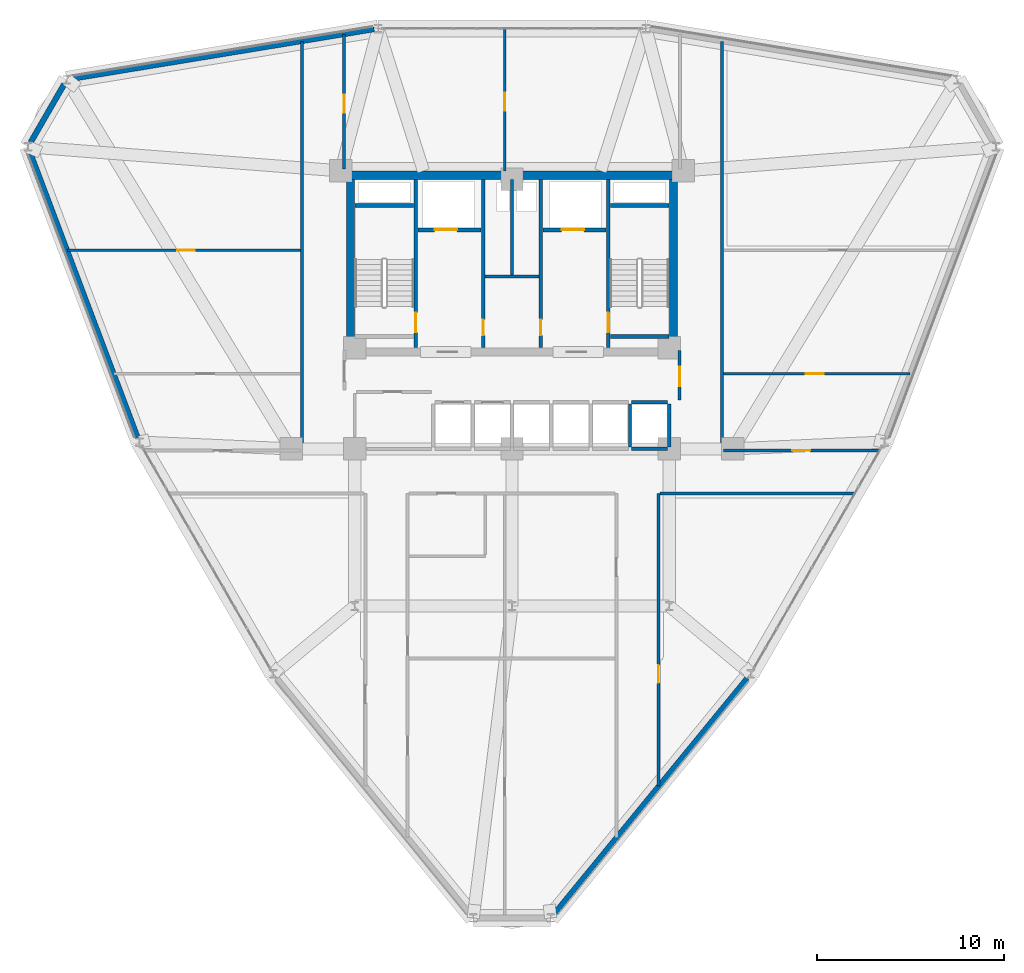
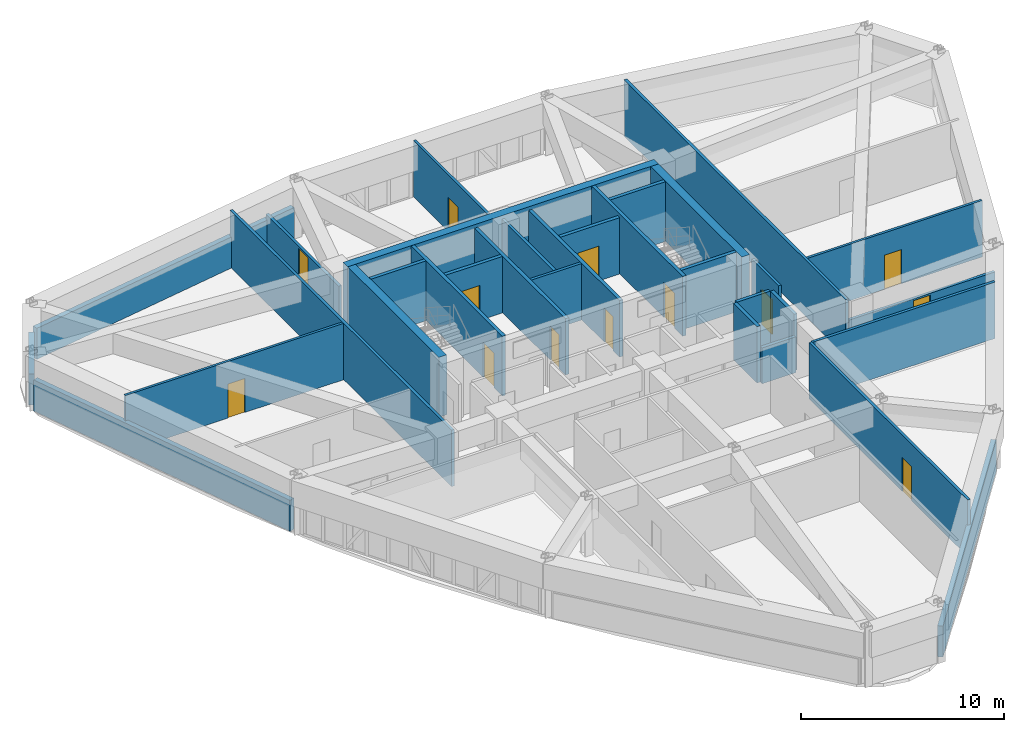
# One storey, part 13 of 16: 32 walls, 13 doors, 13 openings.
"""IFC4 building model written with IfcOpenShell, lengths in metres."""

from ifc_helpers import new_model, si_unit, derived_unit, direction, frame, frame_2d, origin, place, context, subcontext, project, spatial, rectangle, extrude, material, layer, layer_set, type_object, element, fill, save


model = new_model("IFC4")

# Units and contexts
model_context = context("Model", 3, precision=1e-05, world=origin(), true_north=direction((0.0, 1.0)))
body_context = subcontext(model_context, "Body", "Model", "MODEL_VIEW")
ifc_project = project(units=[si_unit("LENGTHUNIT", "METRE"), si_unit("AREAUNIT", "SQUARE_METRE"), si_unit("VOLUMEUNIT", "CUBIC_METRE"), si_unit("PLANEANGLEUNIT", "RADIAN"), si_unit("MASSUNIT", "GRAM", prefix="KILO"), derived_unit("THERMALTRANSMITTANCEUNIT", [(si_unit("POWERUNIT", "WATT"), 1), (si_unit("LENGTHUNIT", "METRE"), -2), (si_unit("THERMODYNAMICTEMPERATUREUNIT", "KELVIN"), -1)])], contexts=[model_context])

# Site, building, storey
site_placement = place(None, origin())
site = spatial("IfcSite", under=ifc_project, at=site_placement, CompositionType="ELEMENT")
building_placement = place(site_placement, origin())
building = spatial("IfcBuilding", under=site, at=building_placement, Name="Korsvarv Bourse and Concert Hall", CompositionType="ELEMENT")
storey_placement = place(building_placement, frame((0.0, 0.0, 106.199951171875)))
storey = spatial("IfcBuildingStorey", under=building, at=storey_placement, Name="L26", CompositionType="ELEMENT", Elevation=106.199951171875)

# Wall, opening, door
ifc_material_1 = material(Name="Concrete C50/60", Category="concrete")
ifc_layer_1 = layer(ifc_material_1, 0.3798828125)
ifc_layer_set_1 = layer_set([ifc_layer_1], Name="Concrete C50/60")
wall_type_1 = type_object("IfcWallType", Name="WL-CORE-380", PredefinedType="SHEAR", material=ifc_layer_set_1)
wall_1_placement = place(storey_placement, frame((30.860107421875, 37.81005859375, 0.0), z_axis=(0.0, 0.0, 1.0), x_axis=(0.0, 1.0, 0.0)))
wall_1 = element("IfcWall", 1, at=wall_1_placement, inside=storey, type_object=wall_type_1, Name="L26 stair shaft structural wall W-L26-ST1-E", PredefinedType="SHEAR", context=body_context, shape_type="SweptSolid", body=[
    extrude(rectangle(XDim=8.97998046875, YDim=0.199951171875, at=frame_2d((4.489990234375, 0.0))), origin(), (0.0, 0.0, 1.0), 3.60009765625),
])
opening_1_placement = place(wall_1_placement, frame((0.820068359375, 0.0, 0.0)))
opening_1 = element("IfcOpeningElement", 2, at=opening_1_placement, cuts=wall_1, Name="Opening D-01", PredefinedType="OPENING", context=body_context, shape_type="SweptSolid", body=[
    extrude(rectangle(XDim=1.050048828125, YDim=2.10009765625, at=frame_2d((0.52490234375, 1.050048828125))), frame((0.0, 0.10986328125, 0.0), z_axis=(0.0, -1.0, 0.0), x_axis=(1.0, 0.0, 0.0)), (0.0, 0.0, 1.0), 0.219970703125),
])
ifc_material_2 = material(Name="Steel S355 fire door", Category="steel")
door_type_1 = type_object("IfcDoorType", Name="DR-FD60", OperationType="NOTDEFINED", PredefinedType="DOOR", material=ifc_material_2)
door_1_placement = place(opening_1_placement, origin())
door_1 = element("IfcDoor", 3, at=door_1_placement, inside=storey, type_object=door_type_1, Name="L26 interior door DR-L26-ST1", OperationType="SINGLE_SWING_LEFT", OverallHeight=2.10009765625, OverallWidth=1.050048828125, PredefinedType="DOOR", context=body_context, shape_type="SweptSolid", body=[
    extrude(rectangle(XDim=1.050048828125, YDim=2.10009765625, at=frame_2d((0.52490234375, 1.050048828125))), frame((0.0, 0.02490234375, 0.0), z_axis=(0.0, -1.0, 0.0), x_axis=(1.0, 0.0, 0.0)), (0.0, 0.0, 1.0), 0.050048828125),
])
fill(opening_1, door_1)

# Wall
wall_2_placement = place(storey_placement, frame((27.610107421875, 45.39990234375, 0.0), z_axis=(0.0, 0.0, 1.0), x_axis=(1.0, 0.0, 0.0)))
element("IfcWall", 4, at=wall_2_placement, inside=storey, type_object=wall_type_1, Name="L26 stair shaft structural wall W-L26-ST1-N", PredefinedType="SHEAR", context=body_context, shape_type="SweptSolid", body=[
    extrude(rectangle(XDim=3.139892578125, YDim=0.199951171875, at=frame_2d((1.56982421875, 0.0))), origin(), (0.0, 0.0, 1.0), 3.60009765625),
])

# Wall, opening, door
wall_3_placement = place(storey_placement, frame((41.139892578125, 37.81005859375, 0.0), z_axis=(0.0, 0.0, 1.0), x_axis=(0.0, 1.0, 0.0)))
wall_3 = element("IfcWall", 5, at=wall_3_placement, inside=storey, type_object=wall_type_1, Name="L26 stair shaft structural wall W-L26-ST2-W", PredefinedType="SHEAR", context=body_context, shape_type="SweptSolid", body=[
    extrude(rectangle(XDim=8.97998046875, YDim=0.199951171875, at=frame_2d((4.489990234375, 0.0))), origin(), (0.0, 0.0, 1.0), 3.60009765625),
])
opening_2_placement = place(wall_3_placement, frame((0.820068359375, 0.0, 0.0)))
opening_2 = element("IfcOpeningElement", 6, at=opening_2_placement, cuts=wall_3, Name="Opening D-01", PredefinedType="OPENING", context=body_context, shape_type="SweptSolid", body=[
    extrude(rectangle(XDim=1.050048828125, YDim=2.10009765625, at=frame_2d((0.52490234375, 1.050048828125))), frame((0.0, 0.10986328125, 0.0), z_axis=(0.0, -1.0, 0.0), x_axis=(1.0, 0.0, 0.0)), (0.0, 0.0, 1.0), 0.219970703125),
])
door_2_placement = place(opening_2_placement, frame((1.050048828125, 0.0, 0.0), z_axis=(0.0, 0.0, 1.0), x_axis=(-1.0, 0.0, 0.0)))
door_2 = element("IfcDoor", 7, at=door_2_placement, inside=storey, type_object=door_type_1, Name="L26 interior door DR-L26-ST2", OperationType="SINGLE_SWING_RIGHT", OverallHeight=2.10009765625, OverallWidth=1.050048828125, PredefinedType="DOOR", context=body_context, shape_type="SweptSolid", body=[
    extrude(rectangle(XDim=1.050048828125, YDim=2.10009765625, at=frame_2d((0.52490234375, 1.050048828125))), frame((0.0, 0.02490234375, 0.0), z_axis=(0.0, -1.0, 0.0), x_axis=(1.0, 0.0, 0.0)), (0.0, 0.0, 1.0), 0.050048828125),
])
fill(opening_2, door_2)

# Walls
for number, where, z_axis, x_axis, name in (
    (8, (41.25, 45.39990234375, 0.0), (0.0, 0.0, 1.0), (1.0, 0.0, 0.0), "L26 stair shaft structural wall W-L26-ST2-N"),
    (9, (41.25, 38.39990234375, 0.0), (0.0, 0.0, 1.0), (1.0, 0.0, 0.0), "L26 stair shaft structural wall W-L26-ST2-S"),
):
    element("IfcWall", number, at=place(storey_placement, frame(where, z_axis=z_axis, x_axis=x_axis)), inside=storey, type_object=wall_type_1, Name=name, PredefinedType="SHEAR", context=body_context, shape_type="SweptSolid", body=[
        extrude(rectangle(XDim=3.139892578125, YDim=0.199951171875, at=frame_2d((1.56982421875, 0.0))), origin(), (0.0, 0.0, 1.0), 3.60009765625),
    ])
ifc_material_3 = material(Name="Concrete C55/67", Category="concrete")
ifc_layer_2 = layer(ifc_material_3, 0.449951171875)
ifc_layer_set_2 = layer_set([ifc_layer_2], Name="Concrete C55/67")
wall_type_2 = type_object("IfcWallType", Name="WL-CORE-450", PredefinedType="SHEAR", material=ifc_layer_set_2)
wall_4_placement = place(storey_placement, frame((27.14990234375, 47.02490234375, 0.0), z_axis=(0.0, 0.0, 1.0), x_axis=(1.0, 0.0, 0.0)))
element("IfcWall", 10, at=wall_4_placement, inside=storey, type_object=wall_type_2, Name="L26 North Core Shear Wall", PredefinedType="SHEAR", context=body_context, shape_type="SweptSolid", body=[
    extrude(rectangle(XDim=17.7001953125, YDim=0.449951171875, at=frame_2d((8.85009765625, 0.0))), origin(), (0.0, 0.0, 1.0), 3.60009765625),
])
for number, where, z_axis, x_axis, name in (
    (11, (27.375, 37.800048828125, 0.0), (0.0, 0.0, 1.0), (0.0, 1.0, 0.0), "L26 West Core Shear Wall"),
    (12, (44.625, 37.800048828125, 0.0), (0.0, 0.0, 1.0), (0.0, 1.0, 0.0), "L26 East Core Shear Wall"),
):
    element("IfcWall", number, at=place(storey_placement, frame(where, z_axis=z_axis, x_axis=x_axis)), inside=storey, type_object=wall_type_2, Name=name, PredefinedType="SHEAR", context=body_context, shape_type="SweptSolid", body=[
        extrude(rectangle(XDim=9.0, YDim=0.449951171875, at=frame_2d((4.5, 0.0))), origin(), (0.0, 0.0, 1.0), 3.60009765625),
    ])
ifc_material_4 = material(Name="Precast concrete C45/55 with terracotta rainscreen", Category="concrete")
ifc_layer_3 = layer(ifc_material_4, 0.300048828125)
ifc_layer_set_3 = layer_set([ifc_layer_3], Name="Precast concrete C45/55 with terracotta rainscreen")
wall_type_3 = type_object("IfcWallType", Name="WL-EXT-TC1", PredefinedType="SOLIDWALL", material=ifc_layer_set_3)
wall_5_placement = place(storey_placement, frame((12.0830078125, 51.886962890625, 0.0), z_axis=(0.0, 0.0, 1.0), x_axis=(-0.500012057535, -0.866018442252, 0.0)))
element("IfcWall", 13, at=wall_5_placement, inside=storey, type_object=wall_type_3, Name="L26 terracotta exterior wall EW-L26-B05", PredefinedType="SOLIDWALL", context=body_context, shape_type="SweptSolid", body=[
    extrude(rectangle(XDim=3.60009765625, YDim=0.300048828125, at=frame_2d((1.800048828125, 0.0))), origin(), (0.0, 0.0, 1.0), 1.8701171875),
])
ifc_material_5 = material(Name="Precast concrete C45/55 with fluted terracotta pier", Category="concrete")
ifc_layer_4 = layer(ifc_material_5, 0.280029296875)
ifc_layer_set_4 = layer_set([ifc_layer_4], Name="Precast concrete C45/55 with fluted terracotta pier")
wall_type_4 = type_object("IfcWallType", Name="WL-EXT-TC2", PredefinedType="SOLIDWALL", material=ifc_layer_set_4)
wall_6_placement = place(storey_placement, frame((28.63671875, 54.81640625, 0.0), z_axis=(0.0, 0.0, 1.0), x_axis=(-0.986776921995, -0.162084256539, 0.0)))
element("IfcWall", 14, at=wall_6_placement, inside=storey, type_object=wall_type_4, Name="L26 terracotta exterior wall EW-L26-B04", PredefinedType="SOLIDWALL", context=body_context, shape_type="SweptSolid", body=[
    extrude(rectangle(XDim=16.422607421875, YDim=0.280029296875, at=frame_2d((8.21142578125, 0.0))), origin(), (0.0, 0.0, 1.0), 1.8701171875),
])
wall_7_placement = place(storey_placement, frame((10.236572265625, 48.30419921875, 0.0), z_axis=(0.0, 0.0, 1.0), x_axis=(0.353021512356, -0.935615204993, 0.0)))
element("IfcWall", 15, at=wall_7_placement, inside=storey, type_object=wall_type_4, Name="L26 terracotta exterior wall EW-L26-B06", PredefinedType="SOLIDWALL", context=body_context, shape_type="SweptSolid", body=[
    extrude(rectangle(XDim=16.359130859375, YDim=0.280029296875, at=frame_2d((8.1796875, 0.0))), origin(), (0.0, 0.0, 1.0), 1.8701171875),
])
wall_8_placement = place(storey_placement, frame((38.2587890625, 7.576416015625, 0.0), z_axis=(0.0, 0.0, 1.0), x_axis=(0.633768446385, 0.773522822137, 0.0)))
element("IfcWall", 16, at=wall_8_placement, inside=storey, type_object=wall_type_4, Name="L26 terracotta exterior wall EW-L26-B10", PredefinedType="SOLIDWALL", context=body_context, shape_type="SweptSolid", body=[
    extrude(rectangle(XDim=16.255126953125, YDim=0.280029296875, at=frame_2d((8.12744140625, 0.0))), origin(), (0.0, 0.0, 1.0), 1.8701171875),
])

# Wall, opening, door
ifc_material_6 = material(Name="Reinforced concrete blockwork C35/45 fire wall", Category="concrete")
ifc_layer_5 = layer(ifc_material_6, 0.199951171875)
ifc_layer_set_5 = layer_set([ifc_layer_5], Name="Reinforced concrete blockwork C35/45 fire wall")
wall_type_5 = type_object("IfcWallType", Name="WL-INT-EI120", PredefinedType="PARTITIONING", material=ifc_layer_set_5)
wall_9_placement = place(storey_placement, frame((30.969970703125, 44.10009765625, 0.0), z_axis=(0.0, 0.0, 1.0), x_axis=(1.0, 0.0, 0.0)))
wall_9 = element("IfcWall", 17, at=wall_9_placement, inside=storey, type_object=wall_type_5, Name="L26 interior partition wall W-L26-FF1-S", PredefinedType="PARTITIONING", context=body_context, shape_type="SweptSolid", body=[
    extrude(rectangle(XDim=3.380126953125, YDim=0.199951171875, at=frame_2d((1.68994140625, 0.0))), origin(), (0.0, 0.0, 1.0), 3.400146484375),
])
opening_3_placement = place(wall_9_placement, frame((0.89990234375, 0.0, 0.0)))
opening_3 = element("IfcOpeningElement", 18, at=opening_3_placement, cuts=wall_9, Name="Opening LD-1", PredefinedType="OPENING", context=body_context, shape_type="SweptSolid", body=[
    extrude(rectangle(XDim=1.199951171875, YDim=2.10009765625, at=frame_2d((0.60009765625, 1.050048828125))), frame((0.0, 0.10986328125, 0.0), z_axis=(0.0, -1.0, 0.0), x_axis=(1.0, 0.0, 0.0)), (0.0, 0.0, 1.0), 0.219970703125),
])
ifc_material_7 = material(Name="Stainless Steel S355 firefighting lift landing door", Category="steel")
door_type_2 = type_object("IfcDoorType", Name="DR-LIFT-FF", OperationType="DOUBLE_DOOR_SLIDING", PredefinedType="DOOR", material=ifc_material_7)
door_3_placement = place(opening_3_placement, origin())
door_3 = element("IfcDoor", 19, at=door_3_placement, inside=storey, type_object=door_type_2, Name="L26 lift sliding landing door LD-L26-FF1", OperationType="DOUBLE_DOOR_SLIDING", OverallHeight=2.10009765625, OverallWidth=1.199951171875, PredefinedType="DOOR", context=body_context, shape_type="SweptSolid", body=[
    extrude(rectangle(XDim=1.199951171875, YDim=2.10009765625, at=frame_2d((0.60009765625, 1.050048828125))), frame((0.0, 0.02490234375, 0.0), z_axis=(0.0, -1.0, 0.0), x_axis=(1.0, 0.0, 0.0)), (0.0, 0.0, 1.0), 0.050048828125),
])
fill(opening_3, door_3)

wall_10_placement = place(storey_placement, frame((37.64990234375, 44.10009765625, 0.0), z_axis=(0.0, 0.0, 1.0), x_axis=(1.0, 0.0, 0.0)))
wall_10 = element("IfcWall", 20, at=wall_10_placement, inside=storey, type_object=wall_type_5, Name="L26 interior partition wall W-L26-FF2-S", PredefinedType="PARTITIONING", context=body_context, shape_type="SweptSolid", body=[
    extrude(rectangle(XDim=3.380126953125, YDim=0.199951171875, at=frame_2d((1.68994140625, 0.0))), origin(), (0.0, 0.0, 1.0), 3.400146484375),
])
opening_4_placement = place(wall_10_placement, frame((1.0, 0.0, 0.0)))
opening_4 = element("IfcOpeningElement", 21, at=opening_4_placement, cuts=wall_10, Name="Opening LD-1", PredefinedType="OPENING", context=body_context, shape_type="SweptSolid", body=[
    extrude(rectangle(XDim=1.199951171875, YDim=2.10009765625, at=frame_2d((0.60009765625, 1.050048828125))), frame((0.0, 0.10986328125, 0.0), z_axis=(0.0, -1.0, 0.0), x_axis=(1.0, 0.0, 0.0)), (0.0, 0.0, 1.0), 0.219970703125),
])
door_4_placement = place(opening_4_placement, origin())
door_4 = element("IfcDoor", 22, at=door_4_placement, inside=storey, type_object=door_type_2, Name="L26 lift sliding landing door LD-L26-FF2", OperationType="DOUBLE_DOOR_SLIDING", OverallHeight=2.10009765625, OverallWidth=1.199951171875, PredefinedType="DOOR", context=body_context, shape_type="SweptSolid", body=[
    extrude(rectangle(XDim=1.199951171875, YDim=2.10009765625, at=frame_2d((0.60009765625, 1.050048828125))), frame((0.0, 0.02490234375, 0.0), z_axis=(0.0, -1.0, 0.0), x_axis=(1.0, 0.0, 0.0)), (0.0, 0.0, 1.0), 0.050048828125),
])
fill(opening_4, door_4)

wall_11_placement = place(storey_placement, frame((34.4599609375, 37.81005859375, 0.0), z_axis=(0.0, 0.0, 1.0), x_axis=(0.0, 1.0, 0.0)))
wall_11 = element("IfcWall", 23, at=wall_11_placement, inside=storey, type_object=wall_type_5, Name="L26 interior partition wall W-L26-CSB-W", PredefinedType="PARTITIONING", context=body_context, shape_type="SweptSolid", body=[
    extrude(rectangle(XDim=8.97998046875, YDim=0.199951171875, at=frame_2d((4.489990234375, 0.0))), origin(), (0.0, 0.0, 1.0), 3.400146484375),
])
opening_5_placement = place(wall_11_placement, frame((0.64990234375, 0.0, 0.0)))
opening_5 = element("IfcOpeningElement", 24, at=opening_5_placement, cuts=wall_11, Name="Opening D-05", PredefinedType="OPENING", context=body_context, shape_type="SweptSolid", body=[
    extrude(rectangle(XDim=0.85009765625, YDim=2.050048828125, at=frame_2d((0.425048828125, 1.02490234375))), frame((0.0, 0.10986328125, 0.0), z_axis=(0.0, -1.0, 0.0), x_axis=(1.0, 0.0, 0.0)), (0.0, 0.0, 1.0), 0.219970703125),
])
door_type_3 = type_object("IfcDoorType", Name="DR-FD60-850X2050", OperationType="NOTDEFINED", PredefinedType="DOOR", material=ifc_material_2)
door_5_placement = place(opening_5_placement, frame((0.85009765625, 0.0, 0.0), z_axis=(0.0, 0.0, 1.0), x_axis=(-1.0, 0.0, 0.0)))
door_5 = element("IfcDoor", 25, at=door_5_placement, inside=storey, type_object=door_type_3, Name="L26 interior door DR-L26-CSB1", OperationType="SINGLE_SWING_LEFT", OverallHeight=2.050048828125, OverallWidth=0.85009765625, PredefinedType="DOOR", context=body_context, shape_type="SweptSolid", body=[
    extrude(rectangle(XDim=0.85009765625, YDim=2.050048828125, at=frame_2d((0.425048828125, 1.02490234375))), frame((0.0, 0.02490234375, 0.0), z_axis=(0.0, -1.0, 0.0), x_axis=(1.0, 0.0, 0.0)), (0.0, 0.0, 1.0), 0.050048828125),
])
fill(opening_5, door_5)

wall_12_placement = place(storey_placement, frame((37.5400390625, 37.81005859375, 0.0), z_axis=(0.0, 0.0, 1.0), x_axis=(0.0, 1.0, 0.0)))
wall_12 = element("IfcWall", 26, at=wall_12_placement, inside=storey, type_object=wall_type_5, Name="L26 interior partition wall W-L26-CSB-E", PredefinedType="PARTITIONING", context=body_context, shape_type="SweptSolid", body=[
    extrude(rectangle(XDim=8.97998046875, YDim=0.199951171875, at=frame_2d((4.489990234375, 0.0))), origin(), (0.0, 0.0, 1.0), 3.400146484375),
])
opening_6_placement = place(wall_12_placement, frame((0.64990234375, 0.0, 0.0)))
opening_6 = element("IfcOpeningElement", 27, at=opening_6_placement, cuts=wall_12, Name="Opening D-05", PredefinedType="OPENING", context=body_context, shape_type="SweptSolid", body=[
    extrude(rectangle(XDim=0.85009765625, YDim=2.050048828125, at=frame_2d((0.425048828125, 1.02490234375))), frame((0.0, 0.10986328125, 0.0), z_axis=(0.0, -1.0, 0.0), x_axis=(1.0, 0.0, 0.0)), (0.0, 0.0, 1.0), 0.219970703125),
])
door_6_placement = place(opening_6_placement, origin())
door_6 = element("IfcDoor", 28, at=door_6_placement, inside=storey, type_object=door_type_3, Name="L26 interior door DR-L26-CSB2", OperationType="SINGLE_SWING_RIGHT", OverallHeight=2.050048828125, OverallWidth=0.85009765625, PredefinedType="DOOR", context=body_context, shape_type="SweptSolid", body=[
    extrude(rectangle(XDim=0.85009765625, YDim=2.050048828125, at=frame_2d((0.425048828125, 1.02490234375))), frame((0.0, 0.02490234375, 0.0), z_axis=(0.0, -1.0, 0.0), x_axis=(1.0, 0.0, 0.0)), (0.0, 0.0, 1.0), 0.050048828125),
])
fill(opening_6, door_6)

# Walls
ifc_material_8 = material(Name="Double-stud fire-rated acoustic partition", Category="gypsum")
ifc_layer_6 = layer(ifc_material_8, 0.159912109375)
ifc_layer_set_6 = layer_set([ifc_layer_6], Name="Double-stud fire-rated acoustic partition")
wall_type_6 = type_object("IfcWallType", Name="WL-INT-EI60", PredefinedType="PARTITIONING", material=ifc_layer_set_6)
wall_13_placement = place(storey_placement, frame((34.570068359375, 41.60009765625, 0.0), z_axis=(0.0, 0.0, 1.0), x_axis=(1.0, 0.0, 0.0)))
element("IfcWall", 29, at=wall_13_placement, inside=storey, type_object=wall_type_6, Name="L26 interior partition wall W-L26-K1", PredefinedType="PARTITIONING", context=body_context, shape_type="SweptSolid", body=[
    extrude(rectangle(XDim=2.85986328125, YDim=0.159912109375, at=frame_2d((1.429931640625, 0.0))), origin(), (0.0, 0.0, 1.0), 3.400146484375),
])
wall_14_placement = place(storey_placement, frame((36.0048828125, 41.68994140625, 0.0), z_axis=(0.0, 0.0, 1.0), x_axis=(0.0, 1.0, 0.0)))
element("IfcWall", 30, at=wall_14_placement, inside=storey, type_object=wall_type_6, Name="L26 interior partition wall W-L26-K2", PredefinedType="PARTITIONING", context=body_context, shape_type="SweptSolid", body=[
    extrude(rectangle(XDim=5.10009765625, YDim=0.159912109375, at=frame_2d((2.550048828125, 0.0))), origin(), (0.0, 0.0, 1.0), 3.400146484375),
])

# Wall, opening, door
wall_15_placement = place(storey_placement, frame((44.9599609375, 35.0, 0.0), z_axis=(0.0, 0.0, 1.0), x_axis=(0.0, 1.0, 0.0)))
wall_15 = element("IfcWall", 31, at=wall_15_placement, inside=storey, type_object=wall_type_6, Name="L26 interior partition wall W-L26-LOB-E", PredefinedType="PARTITIONING", context=body_context, shape_type="SweptSolid", body=[
    extrude(rectangle(XDim=2.64990234375, YDim=0.159912109375, at=frame_2d((1.324951171875, 0.0))), origin(), (0.0, 0.0, 1.0), 3.400146484375),
])
opening_7_placement = place(wall_15_placement, frame((0.75, 0.0, 0.0)))
opening_7 = element("IfcOpeningElement", 32, at=opening_7_placement, cuts=wall_15, Name="Opening D-01", PredefinedType="OPENING", context=body_context, shape_type="SweptSolid", body=[
    extrude(rectangle(XDim=1.050048828125, YDim=2.10009765625, at=frame_2d((0.52490234375, 1.050048828125))), frame((0.0, 0.08984375, 0.0), z_axis=(0.0, -1.0, 0.0), x_axis=(1.0, 0.0, 0.0)), (0.0, 0.0, 1.0), 0.179931640625),
])
door_7_placement = place(opening_7_placement, origin())
door_7 = element("IfcDoor", 33, at=door_7_placement, inside=storey, type_object=door_type_1, Name="L26 interior door DR-L26-LOBE", OperationType="SINGLE_SWING_LEFT", OverallHeight=2.10009765625, OverallWidth=1.050048828125, PredefinedType="DOOR", context=body_context, shape_type="SweptSolid", body=[
    extrude(rectangle(XDim=1.050048828125, YDim=2.10009765625, at=frame_2d((0.52490234375, 1.050048828125))), frame((0.0, 0.02490234375, 0.0), z_axis=(0.0, -1.0, 0.0), x_axis=(1.0, 0.0, 0.0)), (0.0, 0.0, 1.0), 0.050048828125),
])
fill(opening_7, door_7)

# Walls
for number, where, z_axis, x_axis, name in (
    (34, (47.22509765625, 32.31005859375, 0.0), (0.0, 0.0, 1.0), (0.0, 1.0, 0.0), "L26 interior partition wall W-L26-TCOR-01"),
    (35, (24.77490234375, 32.31005859375, 0.0), (0.0, 0.0, 1.0), (0.0, 1.0, 0.0), "L26 interior partition wall W-L26-TCOR-02"),
):
    element("IfcWall", number, at=place(storey_placement, frame(where, z_axis=z_axis, x_axis=x_axis)), inside=storey, type_object=wall_type_6, Name=name, PredefinedType="PARTITIONING", context=body_context, shape_type="SweptSolid", body=[
        extrude(rectangle(XDim=21.85205078125, YDim=0.159912109375, at=frame_2d((10.926025390625, 0.0))), origin(), (0.0, 0.0, 1.0), 3.400146484375),
    ])

# Wall, opening, door
wall_16_placement = place(storey_placement, frame((43.824951171875, 14.389892578125, 0.0), z_axis=(0.0, 0.0, 1.0), x_axis=(0.0, 1.0, 0.0)))
wall_16 = element("IfcWall", 36, at=wall_16_placement, inside=storey, type_object=wall_type_6, Name="L26 interior partition wall W-L26-TCOR-06", PredefinedType="PARTITIONING", context=body_context, shape_type="SweptSolid", body=[
    extrude(rectangle(XDim=15.64013671875, YDim=0.159912109375, at=frame_2d((7.820068359375, 0.0))), origin(), (0.0, 0.0, 1.0), 3.400146484375),
])
opening_8_placement = place(wall_16_placement, frame((5.5078125, 0.0, 0.0)))
opening_8 = element("IfcOpeningElement", 37, at=opening_8_placement, cuts=wall_16, Name="Opening D-02", PredefinedType="OPENING", context=body_context, shape_type="SweptSolid", body=[
    extrude(rectangle(XDim=0.949951171875, YDim=2.050048828125, at=frame_2d((0.47509765625, 1.02490234375))), frame((0.0, 0.08984375, 0.0), z_axis=(0.0, -1.0, 0.0), x_axis=(1.0, 0.0, 0.0)), (0.0, 0.0, 1.0), 0.179931640625),
])
ifc_material_9 = material(Name="Timber and steel acoustic fire door", Category="wood")
door_type_4 = type_object("IfcDoorType", Name="DR-FD30", OperationType="NOTDEFINED", PredefinedType="DOOR", material=ifc_material_9)
door_8_placement = place(opening_8_placement, origin())
door_8 = element("IfcDoor", 38, at=door_8_placement, inside=storey, type_object=door_type_4, Name="L26 interior door DR-L26-TCOR-CC44", OperationType="SINGLE_SWING_RIGHT", OverallHeight=2.050048828125, OverallWidth=0.949951171875, PredefinedType="DOOR", context=body_context, shape_type="SweptSolid", body=[
    extrude(rectangle(XDim=0.949951171875, YDim=2.050048828125, at=frame_2d((0.47509765625, 1.02490234375))), frame((0.0, 0.02490234375, 0.0), z_axis=(0.0, -1.0, 0.0), x_axis=(1.0, 0.0, 0.0)), (0.0, 0.0, 1.0), 0.050048828125),
])
fill(opening_8, door_8)

# Wall
wall_17_placement = place(storey_placement, frame((43.906982421875, 30.02490234375, 0.0), z_axis=(0.0, 0.0, 1.0), x_axis=(1.0, 0.0, 0.0)))
element("IfcWall", 39, at=wall_17_placement, inside=storey, type_object=wall_type_6, Name="L26 interior partition wall W-L26-TCOR-09", PredefinedType="PARTITIONING", context=body_context, shape_type="SweptSolid", body=[
    extrude(rectangle(XDim=10.39111328125, YDim=0.159912109375, at=frame_2d((5.195556640625, 0.0))), origin(), (0.0, 0.0, 1.0), 3.400146484375),
])

# Wall, opening, door
wall_18_placement = place(storey_placement, frame((47.306884765625, 32.31494140625, 0.0), z_axis=(0.0, 0.0, 1.0), x_axis=(1.0, 0.0, 0.0)))
wall_18 = element("IfcWall", 40, at=wall_18_placement, inside=storey, type_object=wall_type_6, Name="L26 interior partition wall W-L26-TCOR-11", PredefinedType="PARTITIONING", context=body_context, shape_type="SweptSolid", body=[
    extrude(rectangle(XDim=8.3134765625, YDim=0.159912109375, at=frame_2d((4.15673828125, 0.0))), origin(), (0.0, 0.0, 1.0), 2.16015625),
])
opening_9_placement = place(wall_18_placement, frame((3.667724609375, 0.0, 0.0)))
opening_9 = element("IfcOpeningElement", 41, at=opening_9_placement, cuts=wall_18, Name="Opening D-02", PredefinedType="OPENING", context=body_context, shape_type="SweptSolid", body=[
    extrude(rectangle(XDim=0.949951171875, YDim=2.050048828125, at=frame_2d((0.47509765625, 1.02490234375))), frame((0.0, 0.08984375, 0.0), z_axis=(0.0, -1.0, 0.0), x_axis=(1.0, 0.0, 0.0)), (0.0, 0.0, 1.0), 0.179931640625),
])
door_9_placement = place(opening_9_placement, origin())
door_9 = element("IfcDoor", 42, at=door_9_placement, inside=storey, type_object=door_type_4, Name="L26 interior door DR-L26-TCOR-RM11", OperationType="SINGLE_SWING_LEFT", OverallHeight=2.050048828125, OverallWidth=0.949951171875, PredefinedType="DOOR", context=body_context, shape_type="SweptSolid", body=[
    extrude(rectangle(XDim=0.949951171875, YDim=2.050048828125, at=frame_2d((0.47509765625, 1.02490234375))), frame((0.0, 0.02490234375, 0.0), z_axis=(0.0, -1.0, 0.0), x_axis=(1.0, 0.0, 0.0)), (0.0, 0.0, 1.0), 0.050048828125),
])
fill(opening_9, door_9)

wall_19_placement = place(storey_placement, frame((27.034912109375, 47.340087890625, 0.0), z_axis=(0.0, 0.0, 1.0), x_axis=(0.0, 1.0, 0.0)))
wall_19 = element("IfcWall", 43, at=wall_19_placement, inside=storey, type_object=wall_type_6, Name="L26 interior partition wall W-L26-TCOR-12", PredefinedType="PARTITIONING", context=body_context, shape_type="SweptSolid", body=[
    extrude(rectangle(XDim=7.193115234375, YDim=0.159912109375, at=frame_2d((3.5966796875, 0.0))), origin(), (0.0, 0.0, 1.0), 2.16015625),
])
opening_10_placement = place(wall_19_placement, frame((3.017822265625, 0.0, 0.0)))
opening_10 = element("IfcOpeningElement", 44, at=opening_10_placement, cuts=wall_19, Name="Opening D-02", PredefinedType="OPENING", context=body_context, shape_type="SweptSolid", body=[
    extrude(rectangle(XDim=0.949951171875, YDim=2.050048828125, at=frame_2d((0.47509765625, 1.02490234375))), frame((0.0, 0.08984375, 0.0), z_axis=(0.0, -1.0, 0.0), x_axis=(1.0, 0.0, 0.0)), (0.0, 0.0, 1.0), 0.179931640625),
])
door_10_placement = place(opening_10_placement, origin())
door_10 = element("IfcDoor", 45, at=door_10_placement, inside=storey, type_object=door_type_4, Name="L26 interior door DR-L26-TCOR-RM55", OperationType="SINGLE_SWING_RIGHT", OverallHeight=2.050048828125, OverallWidth=0.949951171875, PredefinedType="DOOR", context=body_context, shape_type="SweptSolid", body=[
    extrude(rectangle(XDim=0.949951171875, YDim=2.050048828125, at=frame_2d((0.47509765625, 1.02490234375))), frame((0.0, 0.02490234375, 0.0), z_axis=(0.0, -1.0, 0.0), x_axis=(1.0, 0.0, 0.0)), (0.0, 0.0, 1.0), 0.050048828125),
])
fill(opening_10, door_10)

# Walls
ifc_material_10 = material(Name="Gypsum-clad autoclaved concrete shaft wall C30/37", Category="concrete")
ifc_layer_7 = layer(ifc_material_10, 0.179931640625)
ifc_layer_set_7 = layer_set([ifc_layer_7], Name="Gypsum-clad autoclaved concrete shaft wall C30/37")
wall_type_7 = type_object("IfcWallType", Name="WL-INT-EI90", PredefinedType="PARTITIONING", material=ifc_layer_set_7)
wall_20_placement = place(storey_placement, frame((42.389892578125, 34.89990234375, 0.0), z_axis=(0.0, 0.0, 1.0), x_axis=(1.0, 0.0, 0.0)))
element("IfcWall", 46, at=wall_20_placement, inside=storey, type_object=wall_type_7, Name="L26 interior partition wall W-L26-SHFN-PO2", PredefinedType="PARTITIONING", context=body_context, shape_type="SweptSolid", body=[
    extrude(rectangle(XDim=1.920166015625, YDim=0.179931640625, at=frame_2d((0.9599609375, 0.0))), origin(), (0.0, 0.0, 1.0), 3.400146484375),
])
wall_21_placement = place(storey_placement, frame((42.389892578125, 32.39990234375, 0.0), z_axis=(0.0, 0.0, 1.0), x_axis=(1.0, 0.0, 0.0)))
element("IfcWall", 47, at=wall_21_placement, inside=storey, type_object=wall_type_7, Name="L26 interior partition wall W-L26-SHFS-PO2", PredefinedType="PARTITIONING", context=body_context, shape_type="SweptSolid", body=[
    extrude(rectangle(XDim=1.920166015625, YDim=0.179931640625, at=frame_2d((0.9599609375, 0.0))), origin(), (0.0, 0.0, 1.0), 2.16015625),
])
for number, where, z_axis, x_axis, name in (
    (48, (42.300048828125, 32.489990234375, 0.0), (0.0, 0.0, 1.0), (0.0, 1.0, 0.0), "L26 interior partition wall W-L26-SHFW-PO2"),
    (49, (44.39990234375, 32.489990234375, 0.0), (0.0, 0.0, 1.0), (0.0, 1.0, 0.0), "L26 interior partition wall W-L26-SHFE-END"),
):
    element("IfcWall", number, at=place(storey_placement, frame(where, z_axis=z_axis, x_axis=x_axis)), inside=storey, type_object=wall_type_7, Name=name, PredefinedType="PARTITIONING", context=body_context, shape_type="SweptSolid", body=[
        extrude(rectangle(XDim=2.320068359375, YDim=0.179931640625, at=frame_2d((1.16015625, 0.0))), origin(), (0.0, 0.0, 1.0), 3.400146484375),
    ])

# Wall, opening, door
ifc_material_11 = material(Name="Insulated steel-stud office acoustic partition", Category="gypsum")
ifc_layer_8 = layer(ifc_material_11, 0.139892578125)
ifc_layer_set_8 = layer_set([ifc_layer_8], Name="Insulated steel-stud office acoustic partition")
wall_type_8 = type_object("IfcWallType", Name="WL-INT-P1", PredefinedType="PARTITIONING", material=ifc_layer_set_8)
wall_22_placement = place(storey_placement, frame((12.256103515625, 43.0048828125, 0.0), z_axis=(0.0, 0.0, 1.0), x_axis=(1.0, 0.0, 0.0)))
wall_22 = element("IfcWall", 50, at=wall_22_placement, inside=storey, type_object=wall_type_8, Name="L26 interior partition wall W-L26-TCOR-16", PredefinedType="PARTITIONING", context=body_context, shape_type="SweptSolid", body=[
    extrude(rectangle(XDim=12.43701171875, YDim=0.139892578125, at=frame_2d((6.218505859375, 0.0))), origin(), (0.0, 0.0, 1.0), 3.400146484375),
])
opening_11_placement = place(wall_22_placement, frame((5.849853515625, 0.0, 0.0)))
opening_11 = element("IfcOpeningElement", 51, at=opening_11_placement, cuts=wall_22, Name="Opening D-03", PredefinedType="OPENING", context=body_context, shape_type="SweptSolid", body=[
    extrude(rectangle(XDim=0.949951171875, YDim=2.050048828125, at=frame_2d((0.47509765625, 1.02490234375))), frame((0.0, 0.080078125, 0.0), z_axis=(0.0, -1.0, 0.0), x_axis=(1.0, 0.0, 0.0)), (0.0, 0.0, 1.0), 0.159912109375),
])
ifc_material_12 = material(Name="Nordic oak acoustic office door", Category="wood")
door_type_5 = type_object("IfcDoorType", Name="DR-INT-1", OperationType="NOTDEFINED", PredefinedType="DOOR", material=ifc_material_12)
door_11_placement = place(opening_11_placement, origin())
door_11 = element("IfcDoor", 52, at=door_11_placement, inside=storey, type_object=door_type_5, Name="L26 interior door DR-L26-TCOR-RM1414", OperationType="SINGLE_SWING_LEFT", OverallHeight=2.050048828125, OverallWidth=0.949951171875, PredefinedType="DOOR", context=body_context, shape_type="SweptSolid", body=[
    extrude(rectangle(XDim=0.949951171875, YDim=2.050048828125, at=frame_2d((0.47509765625, 1.02490234375))), frame((0.0, 0.02490234375, 0.0), z_axis=(0.0, -1.0, 0.0), x_axis=(1.0, 0.0, 0.0)), (0.0, 0.0, 1.0), 0.050048828125),
])
fill(opening_11, door_11)

wall_23_placement = place(storey_placement, frame((47.306884765625, 36.405029296875, 0.0), z_axis=(0.0, 0.0, 1.0), x_axis=(1.0, 0.0, 0.0)))
wall_23 = element("IfcWall", 53, at=wall_23_placement, inside=storey, type_object=wall_type_8, Name="L26 interior partition wall W-L26-TCOR-18", PredefinedType="PARTITIONING", context=body_context, shape_type="SweptSolid", body=[
    extrude(rectangle(XDim=9.94677734375, YDim=0.139892578125, at=frame_2d((4.973388671875, 0.0))), origin(), (0.0, 0.0, 1.0), 3.400146484375),
])
opening_12_placement = place(wall_23_placement, frame((4.39111328125, 0.0, 0.0)))
opening_12 = element("IfcOpeningElement", 54, at=opening_12_placement, cuts=wall_23, Name="Opening D-03", PredefinedType="OPENING", context=body_context, shape_type="SweptSolid", body=[
    extrude(rectangle(XDim=0.949951171875, YDim=2.050048828125, at=frame_2d((0.47509765625, 1.02490234375))), frame((0.0, 0.080078125, 0.0), z_axis=(0.0, -1.0, 0.0), x_axis=(1.0, 0.0, 0.0)), (0.0, 0.0, 1.0), 0.159912109375),
])
door_12_placement = place(opening_12_placement, origin())
door_12 = element("IfcDoor", 55, at=door_12_placement, inside=storey, type_object=door_type_5, Name="L26 interior door DR-L26-TCOR-CC82", OperationType="SINGLE_SWING_RIGHT", OverallHeight=2.050048828125, OverallWidth=0.949951171875, PredefinedType="DOOR", context=body_context, shape_type="SweptSolid", body=[
    extrude(rectangle(XDim=0.949951171875, YDim=2.050048828125, at=frame_2d((0.47509765625, 1.02490234375))), frame((0.0, 0.02490234375, 0.0), z_axis=(0.0, -1.0, 0.0), x_axis=(1.0, 0.0, 0.0)), (0.0, 0.0, 1.0), 0.050048828125),
])
fill(opening_12, door_12)

wall_24_placement = place(storey_placement, frame((35.60498046875, 47.251953125, 0.0), z_axis=(0.0, 0.0, 1.0), x_axis=(0.0, 1.0, 0.0)))
wall_24 = element("IfcWall", 56, at=wall_24_placement, inside=storey, type_object=wall_type_8, Name="L26 interior partition wall W-L26-TCOR-20", PredefinedType="PARTITIONING", context=body_context, shape_type="SweptSolid", body=[
    extrude(rectangle(XDim=7.57958984375, YDim=0.139892578125, at=frame_2d((3.789794921875, 0.0))), origin(), (0.0, 0.0, 1.0), 3.400146484375),
])
opening_13_placement = place(wall_24_placement, frame((3.21142578125, 0.0, 0.0)))
opening_13 = element("IfcOpeningElement", 57, at=opening_13_placement, cuts=wall_24, Name="Opening D-03", PredefinedType="OPENING", context=body_context, shape_type="SweptSolid", body=[
    extrude(rectangle(XDim=0.949951171875, YDim=2.050048828125, at=frame_2d((0.47509765625, 1.02490234375))), frame((0.0, 0.080078125, 0.0), z_axis=(0.0, -1.0, 0.0), x_axis=(1.0, 0.0, 0.0)), (0.0, 0.0, 1.0), 0.159912109375),
])
door_13_placement = place(opening_13_placement, origin())
door_13 = element("IfcDoor", 58, at=door_13_placement, inside=storey, type_object=door_type_5, Name="L26 interior door DR-L26-TCOR-RM66", OperationType="SINGLE_SWING_RIGHT", OverallHeight=2.050048828125, OverallWidth=0.949951171875, PredefinedType="DOOR", context=body_context, shape_type="SweptSolid", body=[
    extrude(rectangle(XDim=0.949951171875, YDim=2.050048828125, at=frame_2d((0.47509765625, 1.02490234375))), frame((0.0, 0.02490234375, 0.0), z_axis=(0.0, -1.0, 0.0), x_axis=(1.0, 0.0, 0.0)), (0.0, 0.0, 1.0), 0.050048828125),
])
fill(opening_13, door_13)

save(model, "model.ifc")
